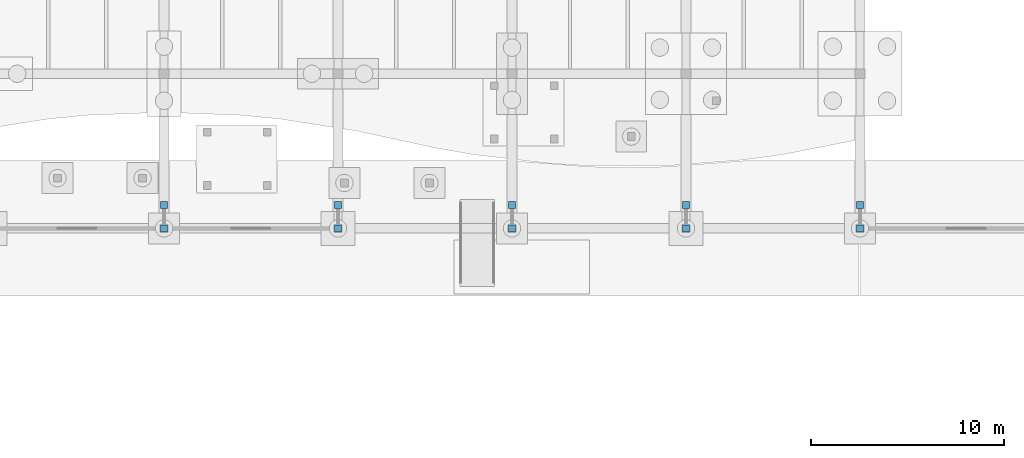
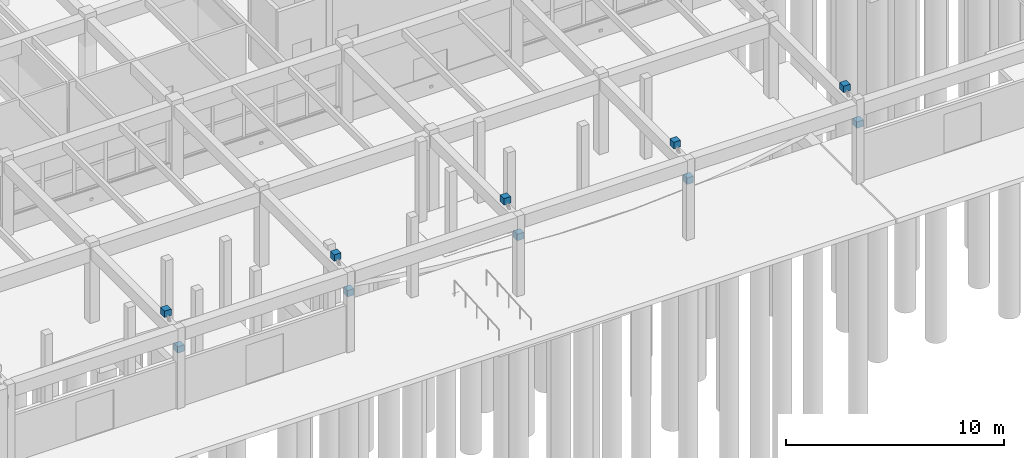
# One storey, part 80 of 99: 10 discrete accessories.
"""IFC4 building model written with IfcOpenShell, lengths in metres."""

from ifc_helpers import new_model, si_unit, direction, frame, origin, origin_2d, place, context, subcontext, project, spatial, rectangle, extrude, material, type_object, element, save


model = new_model("IFC4")

# Units and contexts
model_context = context("Model", 3, precision=1e-05, world=origin(), true_north=direction((0.0, 1.0)))
body_context = subcontext(model_context, "Body", "Model", "MODEL_VIEW")
ifc_project = project(units=[si_unit("LENGTHUNIT", "METRE"), si_unit("AREAUNIT", "SQUARE_METRE"), si_unit("VOLUMEUNIT", "CUBIC_METRE"), si_unit("PLANEANGLEUNIT", "RADIAN"), si_unit("MASSUNIT", "GRAM", prefix="KILO")], contexts=[model_context])

# Site, building, storey
site_placement = place(None, origin())
site = spatial("IfcSite", under=ifc_project, at=site_placement, CompositionType="ELEMENT")
building_placement = place(site_placement, origin())
building = spatial("IfcBuilding", under=site, at=building_placement, Name="Tonlespit Floodbar School", CompositionType="ELEMENT")
storey_placement = place(building_placement, origin())
storey = spatial("IfcBuildingStorey", under=building, at=storey_placement, Name="L00", CompositionType="ELEMENT", Elevation=0.0)

# Discrete accessories
ifc_material = material(Name="Steel S355", Category="steel")
discrete_accessory_type = type_object("IfcDiscreteAccessoryType", Name="GussetShoe_Brace_S355", PredefinedType="SHOE", material=ifc_material)
for number, where, z_axis, x_axis, name in (
    (1, (80.0, 88.0, 3.1201171875), (0.0, 0.0, 1.0), (1.0, 0.0, 0.0), "L00 brace and chord end gusset shoe 0067"),
    (2, (80.0, 89.199951171875, 4.39990234375), (0.0, 0.0, 1.0), (1.0, 0.0, 0.0), "L00 brace and chord end gusset shoe 0068"),
    (3, (89.0, 88.0, 3.1201171875), (0.0, 0.0, 1.0), (1.0, 0.0, 0.0), "L00 brace and chord end gusset shoe 0069"),
    (4, (89.0, 89.199951171875, 4.39990234375), (0.0, 0.0, 1.0), (1.0, 0.0, 0.0), "L00 brace and chord end gusset shoe 0070"),
    (5, (98.0, 88.0, 3.1201171875), (0.0, 0.0, 1.0), (1.0, 0.0, 0.0), "L00 brace and chord end gusset shoe 0071"),
    (6, (98.0, 89.199951171875, 4.39990234375), (0.0, 0.0, 1.0), (1.0, 0.0, 0.0), "L00 brace and chord end gusset shoe 0072"),
    (7, (107.0, 88.0, 3.1201171875), (0.0, 0.0, 1.0), (1.0, 0.0, 0.0), "L00 brace and chord end gusset shoe 0073"),
    (8, (107.0, 89.199951171875, 4.39990234375), (0.0, 0.0, 1.0), (1.0, 0.0, 0.0), "L00 brace and chord end gusset shoe 0074"),
    (9, (116.0, 88.0, 3.1201171875), (0.0, 0.0, 1.0), (1.0, 0.0, 0.0), "L00 brace and chord end gusset shoe 0075"),
    (10, (116.0, 89.199951171875, 4.39990234375), (0.0, 0.0, 1.0), (1.0, 0.0, 0.0), "L00 brace and chord end gusset shoe 0076"),
):
    element("IfcDiscreteAccessory", number, at=place(storey_placement, frame(where, z_axis=z_axis, x_axis=x_axis)), inside=storey, type_object=discrete_accessory_type, Name=name, PredefinedType="SHOE", context=body_context, shape_type="SweptSolid", body=[
        extrude(rectangle(XDim=0.360107421875, YDim=0.360107421875, at=origin_2d()), origin(), (0.0, 0.0, 1.0), 0.360107421875),
    ])

save(model, "model.ifc")
